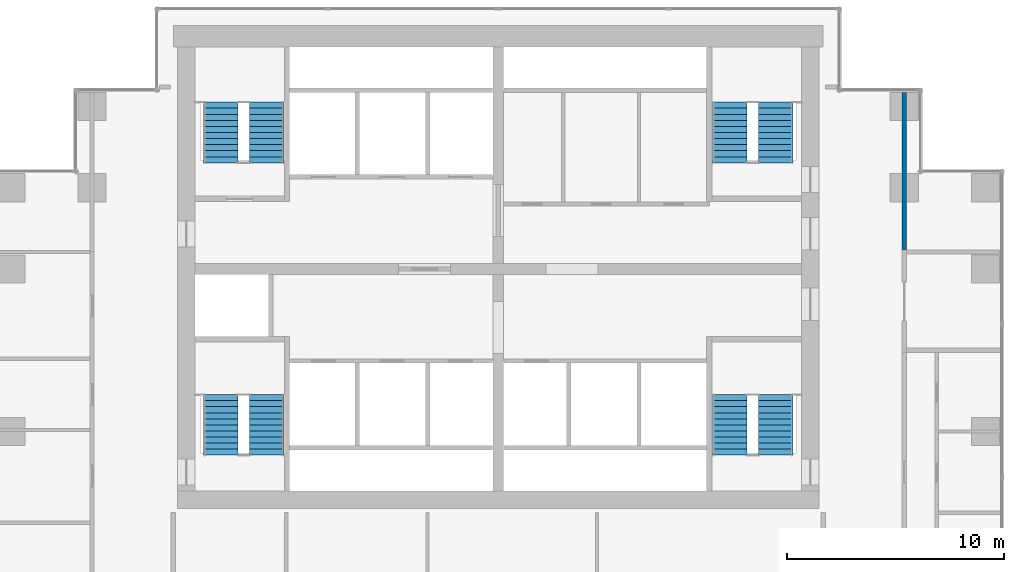
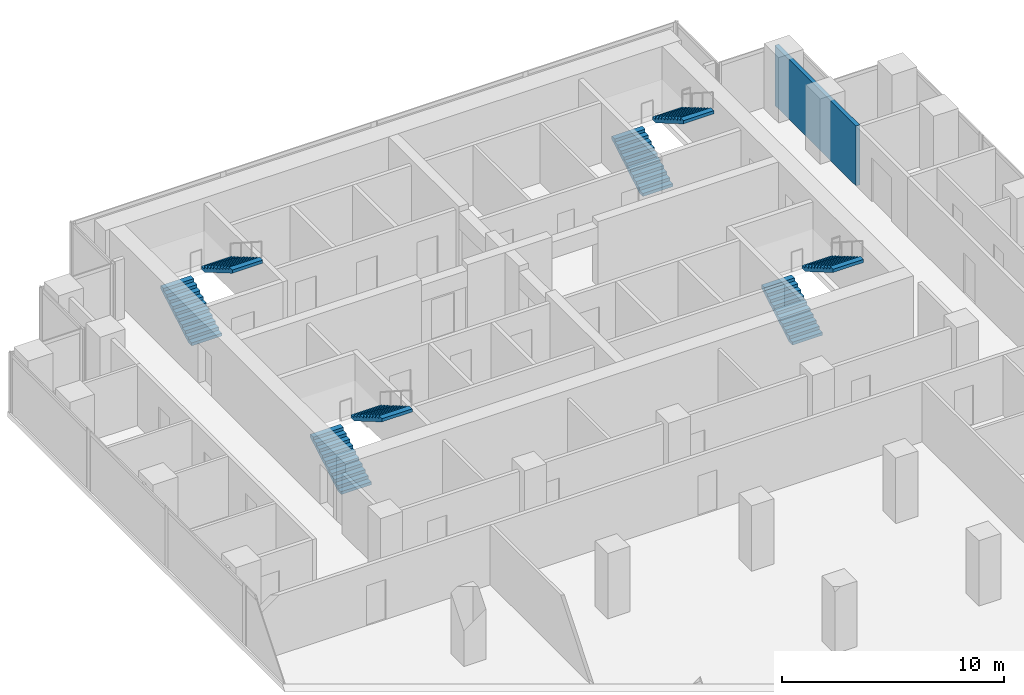
# One storey, part 9 of 10: 8 stair flights, 1 wall, 4 elements without a shape of their own.
"""IFC4 building model written with IfcOpenShell, lengths in metres."""

from ifc_helpers import new_model, si_unit, direction, frame, frame_2d, origin, place, context, subcontext, project, spatial, polyline, rectangle, outline, extrude, material, layer, layer_set, type_object, element, aggregate, save


model = new_model("IFC4")

# Units and contexts
model_context = context("Model", 3, precision=1e-05, world=origin(), true_north=direction((0.0, 1.0)))
body_context = subcontext(model_context, "Body", "Model", "MODEL_VIEW")
ifc_project = project(units=[si_unit("LENGTHUNIT", "METRE"), si_unit("AREAUNIT", "SQUARE_METRE"), si_unit("VOLUMEUNIT", "CUBIC_METRE"), si_unit("PLANEANGLEUNIT", "RADIAN"), si_unit("MASSUNIT", "GRAM", prefix="KILO")], contexts=[model_context])

# Site, building, storey
site_placement = place(None, origin())
site = spatial("IfcSite", under=ifc_project, at=site_placement, CompositionType="ELEMENT")
building_placement = place(site_placement, origin())
building = spatial("IfcBuilding", under=site, at=building_placement, Name="Pilkhan Gate Tower", CompositionType="ELEMENT")
storey_placement = place(building_placement, frame((0.0, 0.0, 118.0)))
storey = spatial("IfcBuildingStorey", under=building, at=storey_placement, Name="L29", CompositionType="ELEMENT", Elevation=118.0)

# Wall
ifc_material_1 = material(Name="Dense blockwork", Category="masonry")
ifc_layer = layer(ifc_material_1, 0.199951171875)
ifc_layer_set = layer_set([ifc_layer], Name="Corridor wall FW200")
wall_type = type_object("IfcWallType", Name="Corridor wall FW200", PredefinedType="PARTITIONING", material=ifc_layer_set)
wall_placement = place(storey_placement, frame((93.75, 83.31005859375, 0.0), z_axis=(0.0, 0.0, 1.0), x_axis=(0.0, 1.0, 0.0)))
element("IfcWall", 1, at=wall_placement, inside=storey, type_object=wall_type, Name="Partition L29", PredefinedType="PARTITIONING", context=body_context, shape_type="SweptSolid", body=[
    extrude(rectangle(XDim=7.3349609375, YDim=0.199951171875, at=frame_2d((3.66748046875, 0.0))), origin(), (0.0, 0.0, 1.0), 3.300048828125),
])

# Stair, stair flights
ifc_material_2 = material(Name="Concrete C40/50 precast", Category="concrete")
stair_type_1 = type_object("IfcStairType", Name="Stair ST1 164x280", PredefinedType="HALF_TURN_STAIR", material=ifc_material_2)
stair_1_placement = place(storey_placement, origin())
stair_1 = element("IfcStair", 2, at=stair_1_placement, inside=storey, type_object=stair_type_1, Name="Stair ST1 L29", PredefinedType="HALF_TURN_STAIR")
stair_flight_type_1 = type_object("IfcStairFlightType", Name="Stair flight ST1 164x280x11", PredefinedType="STRAIGHT", material=ifc_material_2)
stair_flight_1_placement = place(storey_placement, frame((85.68994140625, 73.89990234375, 0.0), z_axis=(0.0, 0.0, 1.0), x_axis=(0.0, 1.0, 0.0)))
stair_flight_1 = element("IfcStairFlight", 3, at=stair_flight_1_placement, type_object=stair_flight_type_1, Name="ST1 flight 1", NumberOfRisers=11, NumberOfTreads=10, PredefinedType="STRAIGHT", RiserHeight=0.163636364, TreadLength=0.28, context=body_context, shape_type="SweptSolid", body=[
    extrude(outline(polyline([(0.0, 0.0), (0.0, 0.16357421875), (0.280029296875, 0.16357421875), (0.280029296875, 0.327392578125), (0.56005859375, 0.327392578125), (0.56005859375, 0.490966796875), (0.840087890625, 0.490966796875), (0.840087890625, 0.654541015625), (1.1201171875, 0.654541015625), (1.1201171875, 0.818115234375), (1.39990234375, 0.818115234375), (1.39990234375, 0.98193359375), (1.679931640625, 0.98193359375), (1.679931640625, 1.1455078125), (1.9599609375, 1.1455078125), (1.9599609375, 1.30908203125), (2.239990234375, 1.30908203125), (2.239990234375, 1.47265625), (2.52001953125, 1.47265625), (2.52001953125, 1.636474609375), (2.800048828125, 1.636474609375), (2.800048828125, 1.800048828125), (2.800048828125, 1.462646484375), (0.297119140625, 0.0), (0.0, 0.0)])), frame((0.0, 0.7900390625, 0.0), z_axis=(0.0, -1.0, 0.0), x_axis=(1.0, 0.0, 0.0)), (0.0, 0.0, 1.0), 1.580078125),
])
stair_flight_2_placement = place(storey_placement, frame((87.81005859375, 76.699951171875, 1.800048828125), z_axis=(0.0, 0.0, 1.0), x_axis=(0.0, -1.0, 0.0)))
stair_flight_2 = element("IfcStairFlight", 4, at=stair_flight_2_placement, type_object=stair_flight_type_1, Name="ST1 flight 2", NumberOfRisers=11, NumberOfTreads=10, PredefinedType="STRAIGHT", RiserHeight=0.163636364, TreadLength=0.28, context=body_context, shape_type="SweptSolid", body=[
    extrude(outline(polyline([(0.0, 0.0), (0.0, 0.16357421875), (0.280029296875, 0.16357421875), (0.280029296875, 0.327392578125), (0.56005859375, 0.327392578125), (0.56005859375, 0.490966796875), (0.840087890625, 0.490966796875), (0.840087890625, 0.654541015625), (1.1201171875, 0.654541015625), (1.1201171875, 0.818115234375), (1.39990234375, 0.818115234375), (1.39990234375, 0.98193359375), (1.679931640625, 0.98193359375), (1.679931640625, 1.1455078125), (1.9599609375, 1.1455078125), (1.9599609375, 1.30908203125), (2.239990234375, 1.30908203125), (2.239990234375, 1.47265625), (2.52001953125, 1.47265625), (2.52001953125, 1.636474609375), (2.800048828125, 1.636474609375), (2.800048828125, 1.800048828125), (2.800048828125, 1.462646484375), (0.297119140625, 0.0), (0.0, 0.0)])), frame((0.0, 0.7900390625, 0.0), z_axis=(0.0, -1.0, 0.0), x_axis=(1.0, 0.0, 0.0)), (0.0, 0.0, 1.0), 1.580078125),
])
aggregate(stair_1, [stair_flight_1, stair_flight_2])

stair_type_2 = type_object("IfcStairType", Name="Stair ST2 164x280", PredefinedType="HALF_TURN_STAIR", material=ifc_material_2)
stair_2_placement = place(storey_placement, origin())
stair_2 = element("IfcStair", 5, at=stair_2_placement, inside=storey, type_object=stair_type_2, Name="Stair ST2 L29", PredefinedType="HALF_TURN_STAIR")
stair_flight_type_2 = type_object("IfcStairFlightType", Name="Stair flight ST2 164x280x11", PredefinedType="STRAIGHT", material=ifc_material_2)
stair_flight_3_placement = place(storey_placement, frame((62.18994140625, 73.89990234375, 0.0), z_axis=(0.0, 0.0, 1.0), x_axis=(0.0, 1.0, 0.0)))
stair_flight_3 = element("IfcStairFlight", 6, at=stair_flight_3_placement, type_object=stair_flight_type_2, Name="ST2 flight 1", NumberOfRisers=11, NumberOfTreads=10, PredefinedType="STRAIGHT", RiserHeight=0.163636364, TreadLength=0.28, context=body_context, shape_type="SweptSolid", body=[
    extrude(outline(polyline([(0.0, 0.0), (0.0, 0.16357421875), (0.280029296875, 0.16357421875), (0.280029296875, 0.327392578125), (0.56005859375, 0.327392578125), (0.56005859375, 0.490966796875), (0.840087890625, 0.490966796875), (0.840087890625, 0.654541015625), (1.1201171875, 0.654541015625), (1.1201171875, 0.818115234375), (1.39990234375, 0.818115234375), (1.39990234375, 0.98193359375), (1.679931640625, 0.98193359375), (1.679931640625, 1.1455078125), (1.9599609375, 1.1455078125), (1.9599609375, 1.30908203125), (2.239990234375, 1.30908203125), (2.239990234375, 1.47265625), (2.52001953125, 1.47265625), (2.52001953125, 1.636474609375), (2.800048828125, 1.636474609375), (2.800048828125, 1.800048828125), (2.800048828125, 1.462646484375), (0.297119140625, 0.0), (0.0, 0.0)])), frame((0.0, 0.7900390625, 0.0), z_axis=(0.0, -1.0, 0.0), x_axis=(1.0, 0.0, 0.0)), (0.0, 0.0, 1.0), 1.580078125),
])
stair_flight_4_placement = place(storey_placement, frame((64.31005859375, 76.699951171875, 1.800048828125), z_axis=(0.0, 0.0, 1.0), x_axis=(0.0, -1.0, 0.0)))
stair_flight_4 = element("IfcStairFlight", 7, at=stair_flight_4_placement, type_object=stair_flight_type_2, Name="ST2 flight 2", NumberOfRisers=11, NumberOfTreads=10, PredefinedType="STRAIGHT", RiserHeight=0.163636364, TreadLength=0.28, context=body_context, shape_type="SweptSolid", body=[
    extrude(outline(polyline([(0.0, 0.0), (0.0, 0.16357421875), (0.280029296875, 0.16357421875), (0.280029296875, 0.327392578125), (0.56005859375, 0.327392578125), (0.56005859375, 0.490966796875), (0.840087890625, 0.490966796875), (0.840087890625, 0.654541015625), (1.1201171875, 0.654541015625), (1.1201171875, 0.818115234375), (1.39990234375, 0.818115234375), (1.39990234375, 0.98193359375), (1.679931640625, 0.98193359375), (1.679931640625, 1.1455078125), (1.9599609375, 1.1455078125), (1.9599609375, 1.30908203125), (2.239990234375, 1.30908203125), (2.239990234375, 1.47265625), (2.52001953125, 1.47265625), (2.52001953125, 1.636474609375), (2.800048828125, 1.636474609375), (2.800048828125, 1.800048828125), (2.800048828125, 1.462646484375), (0.297119140625, 0.0), (0.0, 0.0)])), frame((0.0, 0.7900390625, 0.0), z_axis=(0.0, -1.0, 0.0), x_axis=(1.0, 0.0, 0.0)), (0.0, 0.0, 1.0), 1.580078125),
])
aggregate(stair_2, [stair_flight_3, stair_flight_4])

stair_type_3 = type_object("IfcStairType", Name="Stair ST3 164x280", PredefinedType="HALF_TURN_STAIR", material=ifc_material_2)
stair_3_placement = place(storey_placement, origin())
stair_3 = element("IfcStair", 8, at=stair_3_placement, inside=storey, type_object=stair_type_3, Name="Stair ST3 L29", PredefinedType="HALF_TURN_STAIR")
stair_flight_type_3 = type_object("IfcStairFlightType", Name="Stair flight ST3 164x280x11", PredefinedType="STRAIGHT", material=ifc_material_2)
stair_flight_5_placement = place(storey_placement, frame((62.18994140625, 87.39990234375, 0.0), z_axis=(0.0, 0.0, 1.0), x_axis=(0.0, 1.0, 0.0)))
stair_flight_5 = element("IfcStairFlight", 9, at=stair_flight_5_placement, type_object=stair_flight_type_3, Name="ST3 flight 1", NumberOfRisers=11, NumberOfTreads=10, PredefinedType="STRAIGHT", RiserHeight=0.163636364, TreadLength=0.28, context=body_context, shape_type="SweptSolid", body=[
    extrude(outline(polyline([(0.0, 0.0), (0.0, 0.16357421875), (0.280029296875, 0.16357421875), (0.280029296875, 0.327392578125), (0.56005859375, 0.327392578125), (0.56005859375, 0.490966796875), (0.840087890625, 0.490966796875), (0.840087890625, 0.654541015625), (1.1201171875, 0.654541015625), (1.1201171875, 0.818115234375), (1.39990234375, 0.818115234375), (1.39990234375, 0.98193359375), (1.679931640625, 0.98193359375), (1.679931640625, 1.1455078125), (1.9599609375, 1.1455078125), (1.9599609375, 1.30908203125), (2.239990234375, 1.30908203125), (2.239990234375, 1.47265625), (2.52001953125, 1.47265625), (2.52001953125, 1.636474609375), (2.800048828125, 1.636474609375), (2.800048828125, 1.800048828125), (2.800048828125, 1.462646484375), (0.297119140625, 0.0), (0.0, 0.0)])), frame((0.0, 0.7900390625, 0.0), z_axis=(0.0, -1.0, 0.0), x_axis=(1.0, 0.0, 0.0)), (0.0, 0.0, 1.0), 1.580078125),
])
stair_flight_6_placement = place(storey_placement, frame((64.31005859375, 90.199951171875, 1.800048828125), z_axis=(0.0, 0.0, 1.0), x_axis=(0.0, -1.0, 0.0)))
stair_flight_6 = element("IfcStairFlight", 10, at=stair_flight_6_placement, type_object=stair_flight_type_3, Name="ST3 flight 2", NumberOfRisers=11, NumberOfTreads=10, PredefinedType="STRAIGHT", RiserHeight=0.163636364, TreadLength=0.28, context=body_context, shape_type="SweptSolid", body=[
    extrude(outline(polyline([(0.0, 0.0), (0.0, 0.16357421875), (0.280029296875, 0.16357421875), (0.280029296875, 0.327392578125), (0.56005859375, 0.327392578125), (0.56005859375, 0.490966796875), (0.840087890625, 0.490966796875), (0.840087890625, 0.654541015625), (1.1201171875, 0.654541015625), (1.1201171875, 0.818115234375), (1.39990234375, 0.818115234375), (1.39990234375, 0.98193359375), (1.679931640625, 0.98193359375), (1.679931640625, 1.1455078125), (1.9599609375, 1.1455078125), (1.9599609375, 1.30908203125), (2.239990234375, 1.30908203125), (2.239990234375, 1.47265625), (2.52001953125, 1.47265625), (2.52001953125, 1.636474609375), (2.800048828125, 1.636474609375), (2.800048828125, 1.800048828125), (2.800048828125, 1.462646484375), (0.297119140625, 0.0), (0.0, 0.0)])), frame((0.0, 0.7900390625, 0.0), z_axis=(0.0, -1.0, 0.0), x_axis=(1.0, 0.0, 0.0)), (0.0, 0.0, 1.0), 1.580078125),
])
aggregate(stair_3, [stair_flight_5, stair_flight_6])

stair_type_4 = type_object("IfcStairType", Name="Stair ST4 164x280", PredefinedType="HALF_TURN_STAIR", material=ifc_material_2)
stair_4_placement = place(storey_placement, origin())
stair_4 = element("IfcStair", 11, at=stair_4_placement, inside=storey, type_object=stair_type_4, Name="Stair ST4 L29", PredefinedType="HALF_TURN_STAIR")
stair_flight_type_4 = type_object("IfcStairFlightType", Name="Stair flight ST4 164x280x11", PredefinedType="STRAIGHT", material=ifc_material_2)
stair_flight_7_placement = place(storey_placement, frame((85.68994140625, 87.39990234375, 0.0), z_axis=(0.0, 0.0, 1.0), x_axis=(0.0, 1.0, 0.0)))
stair_flight_7 = element("IfcStairFlight", 12, at=stair_flight_7_placement, type_object=stair_flight_type_4, Name="ST4 flight 1", NumberOfRisers=11, NumberOfTreads=10, PredefinedType="STRAIGHT", RiserHeight=0.163636364, TreadLength=0.28, context=body_context, shape_type="SweptSolid", body=[
    extrude(outline(polyline([(0.0, 0.0), (0.0, 0.16357421875), (0.280029296875, 0.16357421875), (0.280029296875, 0.327392578125), (0.56005859375, 0.327392578125), (0.56005859375, 0.490966796875), (0.840087890625, 0.490966796875), (0.840087890625, 0.654541015625), (1.1201171875, 0.654541015625), (1.1201171875, 0.818115234375), (1.39990234375, 0.818115234375), (1.39990234375, 0.98193359375), (1.679931640625, 0.98193359375), (1.679931640625, 1.1455078125), (1.9599609375, 1.1455078125), (1.9599609375, 1.30908203125), (2.239990234375, 1.30908203125), (2.239990234375, 1.47265625), (2.52001953125, 1.47265625), (2.52001953125, 1.636474609375), (2.800048828125, 1.636474609375), (2.800048828125, 1.800048828125), (2.800048828125, 1.462646484375), (0.297119140625, 0.0), (0.0, 0.0)])), frame((0.0, 0.7900390625, 0.0), z_axis=(0.0, -1.0, 0.0), x_axis=(1.0, 0.0, 0.0)), (0.0, 0.0, 1.0), 1.580078125),
])
stair_flight_8_placement = place(storey_placement, frame((87.81005859375, 90.199951171875, 1.800048828125), z_axis=(0.0, 0.0, 1.0), x_axis=(0.0, -1.0, 0.0)))
stair_flight_8 = element("IfcStairFlight", 13, at=stair_flight_8_placement, type_object=stair_flight_type_4, Name="ST4 flight 2", NumberOfRisers=11, NumberOfTreads=10, PredefinedType="STRAIGHT", RiserHeight=0.163636364, TreadLength=0.28, context=body_context, shape_type="SweptSolid", body=[
    extrude(outline(polyline([(0.0, 0.0), (0.0, 0.16357421875), (0.280029296875, 0.16357421875), (0.280029296875, 0.327392578125), (0.56005859375, 0.327392578125), (0.56005859375, 0.490966796875), (0.840087890625, 0.490966796875), (0.840087890625, 0.654541015625), (1.1201171875, 0.654541015625), (1.1201171875, 0.818115234375), (1.39990234375, 0.818115234375), (1.39990234375, 0.98193359375), (1.679931640625, 0.98193359375), (1.679931640625, 1.1455078125), (1.9599609375, 1.1455078125), (1.9599609375, 1.30908203125), (2.239990234375, 1.30908203125), (2.239990234375, 1.47265625), (2.52001953125, 1.47265625), (2.52001953125, 1.636474609375), (2.800048828125, 1.636474609375), (2.800048828125, 1.800048828125), (2.800048828125, 1.462646484375), (0.297119140625, 0.0), (0.0, 0.0)])), frame((0.0, 0.7900390625, 0.0), z_axis=(0.0, -1.0, 0.0), x_axis=(1.0, 0.0, 0.0)), (0.0, 0.0, 1.0), 1.580078125),
])
aggregate(stair_4, [stair_flight_7, stair_flight_8])

save(model, "model.ifc")
